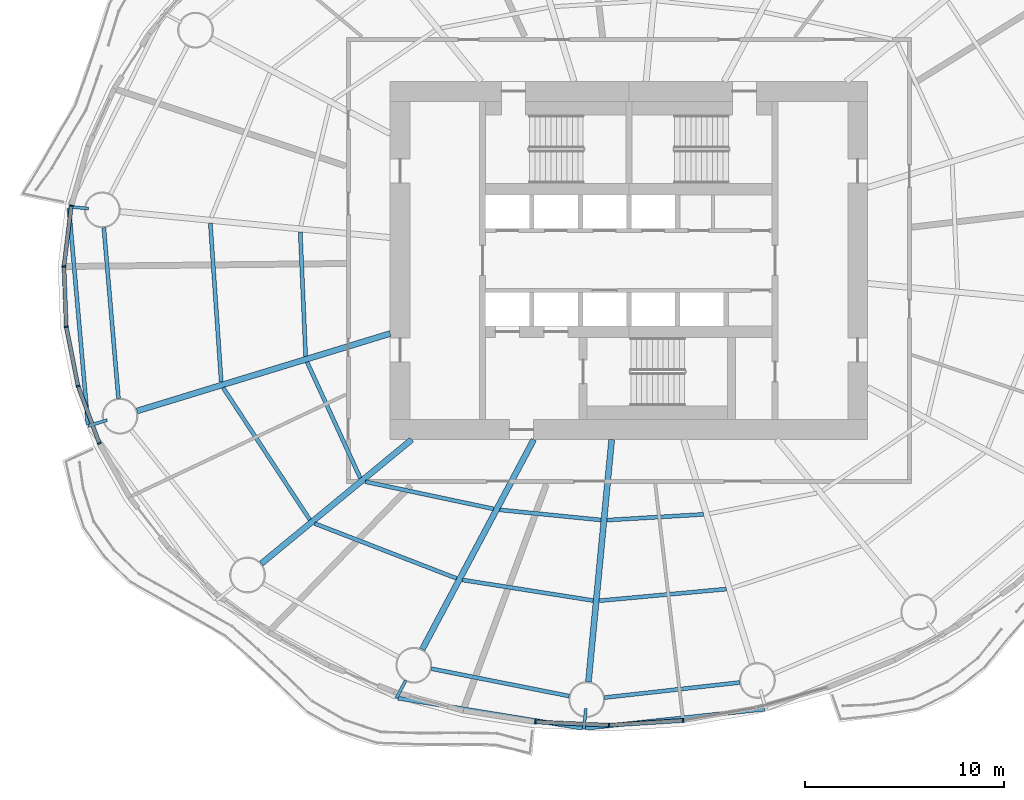
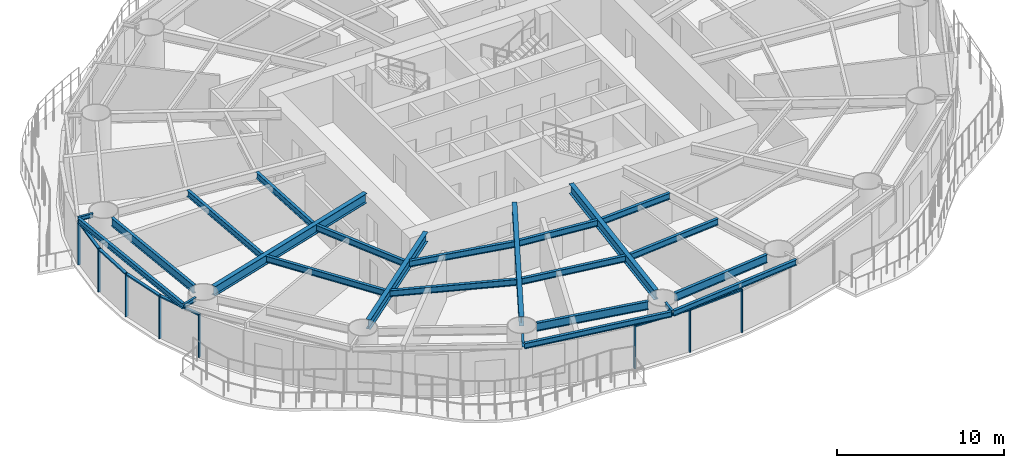
# One storey, part 2 of 16: 24 beams, 14 members, 7 elements without a shape of their own.
"""IFC4 building model written with IfcOpenShell, lengths in metres."""

from ifc_helpers import new_model, si_unit, direction, frame, origin, origin_2d, place, context, subcontext, project, spatial, rectangle, i_section, extrude, material, material_profile, profile_set, type_object, element, aggregate, save


model = new_model("IFC4")

# Units and contexts
model_context = context("Model", 3, precision=1e-05, world=origin(), true_north=direction((0.0, 1.0)))
body_context = subcontext(model_context, "Body", "Model", "MODEL_VIEW")
ifc_project = project(units=[si_unit("LENGTHUNIT", "METRE"), si_unit("AREAUNIT", "SQUARE_METRE"), si_unit("VOLUMEUNIT", "CUBIC_METRE"), si_unit("PLANEANGLEUNIT", "RADIAN"), si_unit("MASSUNIT", "GRAM", prefix="KILO")], contexts=[model_context])

# Site, building, storey
site_placement = place(None, origin())
site = spatial("IfcSite", under=ifc_project, at=site_placement, CompositionType="ELEMENT")
building_placement = place(site_placement, origin())
building = spatial("IfcBuilding", under=site, at=building_placement, Name="Vermilion Reach Broadcast Tower", CompositionType="ELEMENT")
storey_placement = place(building_placement, frame((0.0, 0.0, 61.89990234375)))
storey = spatial("IfcBuildingStorey", under=building, at=storey_placement, Name="L12", CompositionType="ELEMENT", Elevation=61.89990234375)

# Beams
ifc_material_1 = material(Name="Steel S355J2", Category="steel")
ifc_material_profile_1 = material_profile(ifc_material_1, i_section(OverallWidth=0.199951171875, OverallDepth=0.39990234375, WebThickness=0.008056640625, FlangeThickness=0.012939453125, at=origin_2d()), Name="S355J2 HN 400x200x8x13")
ifc_profile_set_1 = profile_set([ifc_material_profile_1], Name="Steel S355J2")
beam_type_1 = type_object("IfcBeamType", Name="EB1 HN 400x200x8x13", PredefinedType="BEAM", material=ifc_profile_set_1)
beam_1_placement = place(storey_placement, frame((-34.140625, 2.62939453125, 3.35009765625), z_axis=(0.087863765386, -0.99613250059, 0.0), x_axis=(0.99613250059, 0.087863765386, 0.0)))
element("IfcBeam", 1, at=beam_1_placement, inside=storey, type_object=beam_type_1, Name="Edge beam EB1-08", PredefinedType="BEAM", context=body_context, shape_type="SweptSolid", body=[
    extrude(i_section(OverallWidth=0.199951171875, OverallDepth=0.39990234375, WebThickness=0.008056640625, FlangeThickness=0.012939453125, at=origin_2d()), origin(), (0.0, 0.0, 1.0), 10.908935546875),
])
beam_2_placement = place(storey_placement, frame((-17.60546875, -21.99560546875, 3.35009765625), z_axis=(0.987048362021, -0.160422975389, 0.0), x_axis=(0.160422975389, 0.987048362021, 0.0)))
element("IfcBeam", 2, at=beam_2_placement, inside=storey, type_object=beam_type_1, Name="Edge beam EB1-11", PredefinedType="BEAM", context=body_context, shape_type="SweptSolid", body=[
    extrude(i_section(OverallWidth=0.199951171875, OverallDepth=0.39990234375, WebThickness=0.008056640625, FlangeThickness=0.012939453125, at=origin_2d()), origin(), (0.0, 0.0, 1.0), 9.392822265625),
])
beam_3_placement = place(storey_placement, frame((-8.183837890625, -23.50634765625, 3.35009765625), z_axis=(0.994345616959, 0.106192250355, 0.0), x_axis=(-0.106192250355, 0.994345616959, 0.0)))
element("IfcBeam", 3, at=beam_3_placement, inside=storey, type_object=beam_type_1, Name="Edge beam EB1-12", PredefinedType="BEAM", context=body_context, shape_type="SweptSolid", body=[
    extrude(i_section(OverallWidth=0.199951171875, OverallDepth=0.39990234375, WebThickness=0.008056640625, FlangeThickness=0.012939453125, at=origin_2d()), origin(), (0.0, 0.0, 1.0), 9.0537109375),
])
ifc_material_2 = material(Name="Steel S355J2", Category="steel")
ifc_material_profile_2 = material_profile(ifc_material_2, i_section(OverallWidth=0.300048828125, OverallDepth=0.699951171875, WebThickness=0.012939453125, FlangeThickness=0.02392578125, at=origin_2d()), Name="S355J2 HN 700x300x13x24")
ifc_profile_set_2 = profile_set([ifc_material_profile_2], Name="Steel S355J2")
beam_type_2 = type_object("IfcBeamType", Name="G1 HN 700x300x13x24", PredefinedType="BEAM", material=ifc_profile_set_2)
beam_4_placement = place(storey_placement, frame((-18.0, -3.671142578125, 3.2001953125), z_axis=(-0.956255735186, -0.292531996409, 0.0), x_axis=(0.292531996409, -0.956255735186, 0.0)))
element("IfcBeam", 4, at=beam_4_placement, inside=storey, type_object=beam_type_2, Name="Girder G1-09", PredefinedType="BEAM", context=body_context, shape_type="SweptSolid", body=[
    extrude(i_section(OverallWidth=0.300048828125, OverallDepth=0.699951171875, WebThickness=0.012939453125, FlangeThickness=0.02392578125, at=origin_2d()), origin(), (0.0, 0.0, 1.0), 13.29638671875),
])
beam_5_placement = place(storey_placement, frame((-16.9140625, -9.0, 3.2001953125), z_axis=(-0.771514256373, -0.636212034005, 0.0), x_axis=(0.636212034005, -0.771514256373, 0.0)))
element("IfcBeam", 5, at=beam_5_placement, inside=storey, type_object=beam_type_2, Name="Girder G1-10", PredefinedType="BEAM", context=body_context, shape_type="SweptSolid", body=[
    extrude(i_section(OverallWidth=0.300048828125, OverallDepth=0.699951171875, WebThickness=0.012939453125, FlangeThickness=0.02392578125, at=origin_2d()), origin(), (0.0, 0.0, 1.0), 9.796142578125),
])
beam_6_placement = place(storey_placement, frame((-10.783447265625, -9.0, 3.2001953125), z_axis=(-0.469312182262, -0.883032318537, 0.0), x_axis=(0.883032318537, -0.469312182262, 0.0)))
element("IfcBeam", 6, at=beam_6_placement, inside=storey, type_object=beam_type_2, Name="Girder G1-11", PredefinedType="BEAM", context=body_context, shape_type="SweptSolid", body=[
    extrude(i_section(OverallWidth=0.300048828125, OverallDepth=0.699951171875, WebThickness=0.012939453125, FlangeThickness=0.02392578125, at=origin_2d()), origin(), (0.0, 0.0, 1.0), 11.94091796875),
])
beam_7_placement = place(storey_placement, frame((-6.864990234375, -9.0, 3.2001953125), z_axis=(-0.09566673912, -0.995413419151, 0.0), x_axis=(0.995413419151, -0.09566673912, 0.0)))
element("IfcBeam", 7, at=beam_7_placement, inside=storey, type_object=beam_type_2, Name="Girder G1-12", PredefinedType="BEAM", context=body_context, shape_type="SweptSolid", body=[
    extrude(i_section(OverallWidth=0.300048828125, OverallDepth=0.699951171875, WebThickness=0.012939453125, FlangeThickness=0.02392578125, at=origin_2d()), origin(), (0.0, 0.0, 1.0), 12.22412109375),
])
ifc_material_3 = material(Name="Steel S355J2", Category="steel")
ifc_material_profile_3 = material_profile(ifc_material_3, i_section(OverallWidth=0.14990234375, OverallDepth=0.300048828125, WebThickness=0.006591796875, FlangeThickness=0.009033203125, at=origin_2d()), Name="S355J2 HN 300x150x6.5x9")
ifc_profile_set_3 = profile_set([ifc_material_profile_3], Name="Steel S355J2")
beam_type_3 = type_object("IfcBeamType", Name="GS1 HN 300x150x6.5x9", PredefinedType="BEAM", material=ifc_profile_set_3)
for number, where, z_axis, x_axis, name in (
    (8, (-33.15185546875, 2.609619140625, 3.400146484375), (-0.995409476419, 0.095707754417, 0.0), (-0.095707754417, -0.995409476419, 0.0), "Cantilever stub GS1-08"),
    (9, (-32.21923828125, -8.02099609375, 3.400146484375), (-0.95627383467, -0.292472824594, 0.0), (0.292472824594, -0.95627383467, 0.0), "Cantilever stub GS1-09"),
    (10, (-17.214111328125, -21.099853515625, 3.400146484375), (-0.469434829463, -0.882967123333, 0.0), (0.882967123333, -0.469434829463, 0.0), "Cantilever stub GS1-11"),
    (11, (-8.164306640625, -22.51904296875, 3.400146484375), (-0.095707754417, -0.995409476419, 0.0), (0.995409476419, -0.095707754417, 0.0), "Cantilever stub GS1-12"),
):
    element("IfcBeam", number, at=place(storey_placement, frame(where, z_axis=z_axis, x_axis=x_axis)), inside=storey, type_object=beam_type_3, Name=name, PredefinedType="BEAM", context=body_context, shape_type="SweptSolid", body=[
        extrude(i_section(OverallWidth=0.14990234375, OverallDepth=0.300048828125, WebThickness=0.006591796875, FlangeThickness=0.009033203125, at=origin_2d()), origin(), (0.0, 0.0, 1.0), 1.0),
    ])
ifc_material_4 = material(Name="Steel S355J2", Category="steel")
ifc_material_profile_4 = material_profile(ifc_material_4, i_section(OverallWidth=0.199951171875, OverallDepth=0.60009765625, WebThickness=0.010986328125, FlangeThickness=0.01708984375, at=origin_2d()), Name="S355J2 HN 600x200x11x17")
ifc_profile_set_4 = profile_set([ifc_material_profile_4], Name="Steel S355J2")
beam_type_4 = type_object("IfcBeamType", Name="RB1 HN 600x200x11x17", PredefinedType="BEAM", material=ifc_profile_set_4)
beam_8_placement = place(storey_placement, frame((-32.38720703125, 1.646728515625, 3.25), z_axis=(0.085395508608, -0.996347131832, 0.0), x_axis=(0.996347131832, 0.085395508608, 0.0)))
element("IfcBeam", 12, at=beam_8_placement, inside=storey, type_object=beam_type_4, Name="Ring beam RB1-08", PredefinedType="BEAM", context=body_context, shape_type="SweptSolid", body=[
    extrude(i_section(OverallWidth=0.199951171875, OverallDepth=0.60009765625, WebThickness=0.010986328125, FlangeThickness=0.01708984375, at=origin_2d()), origin(), (0.0, 0.0, 1.0), 8.60546875),
])
beam_9_placement = place(storey_placement, frame((-15.927001953125, -20.51416015625, 3.25), z_axis=(0.980857717995, -0.194725799651, 0.0), x_axis=(0.194725799651, 0.980857717995, 0.0)))
element("IfcBeam", 13, at=beam_9_placement, inside=storey, type_object=beam_type_4, Name="Ring beam RB1-11", PredefinedType="BEAM", context=body_context, shape_type="SweptSolid", body=[
    extrude(i_section(OverallWidth=0.199951171875, OverallDepth=0.60009765625, WebThickness=0.010986328125, FlangeThickness=0.01708984375, at=origin_2d()), origin(), (0.0, 0.0, 1.0), 7.05859375),
])
beam_10_placement = place(storey_placement, frame((-7.22607421875, -21.964111328125, 3.25), z_axis=(0.993851439324, 0.110721798009, 0.0), x_axis=(-0.110721798009, 0.993851439324, 0.0)))
element("IfcBeam", 14, at=beam_10_placement, inside=storey, type_object=beam_type_4, Name="Ring beam RB1-12", PredefinedType="BEAM", context=body_context, shape_type="SweptSolid", body=[
    extrude(i_section(OverallWidth=0.199951171875, OverallDepth=0.60009765625, WebThickness=0.010986328125, FlangeThickness=0.01708984375, at=origin_2d()), origin(), (0.0, 0.0, 1.0), 6.8310546875),
])
ifc_material_5 = material(Name="Steel S355J2", Category="steel")
ifc_material_profile_5 = material_profile(ifc_material_5, i_section(OverallWidth=0.199951171875, OverallDepth=0.449951171875, WebThickness=0.009033203125, FlangeThickness=0.013916015625, at=origin_2d()), Name="S355J2 HN 450x200x9x14")
ifc_profile_set_5 = profile_set([ifc_material_profile_5], Name="Steel S355J2")
beam_type_5 = type_object("IfcBeamType", Name="SB1 HN 450x200x9x14", PredefinedType="BEAM", material=ifc_profile_set_5)
beam_11_placement = place(storey_placement, frame((-22.51611328125, 1.436767578125, 3.3251953125), z_axis=(0.043361007512, -0.999059469215, 0.0), x_axis=(0.999059469215, 0.043361007512, 0.0)))
element("IfcBeam", 15, at=beam_11_placement, inside=storey, type_object=beam_type_5, Name="Secondary beam SB1-08-1", PredefinedType="BEAM", context=body_context, shape_type="SweptSolid", body=[
    extrude(i_section(OverallWidth=0.199951171875, OverallDepth=0.449951171875, WebThickness=0.009033203125, FlangeThickness=0.013916015625, at=origin_2d()), origin(), (0.0, 0.0, 1.0), 6.25537109375),
])
beam_12_placement = place(storey_placement, frame((-27.03515625, 1.87109375, 3.3251953125), z_axis=(0.068507801475, -0.997650580683, 0.0), x_axis=(0.997650580683, 0.068507801475, 0.0)))
element("IfcBeam", 16, at=beam_12_placement, inside=storey, type_object=beam_type_5, Name="Secondary beam SB1-08-2", PredefinedType="BEAM", context=body_context, shape_type="SweptSolid", body=[
    extrude(i_section(OverallWidth=0.199951171875, OverallDepth=0.449951171875, WebThickness=0.009033203125, FlangeThickness=0.013916015625, at=origin_2d()), origin(), (0.0, 0.0, 1.0), 8.00048828125),
])
beam_13_placement = place(storey_placement, frame((-22.175048828125, -5.105224609375, 3.3251953125), z_axis=(0.417211452529, -0.908809443106, 0.0), x_axis=(0.908809443106, 0.417211452529, 0.0)))
element("IfcBeam", 17, at=beam_13_placement, inside=storey, type_object=beam_type_5, Name="Secondary beam SB1-09-1", PredefinedType="BEAM", context=body_context, shape_type="SweptSolid", body=[
    extrude(i_section(OverallWidth=0.199951171875, OverallDepth=0.449951171875, WebThickness=0.009033203125, FlangeThickness=0.013916015625, at=origin_2d()), origin(), (0.0, 0.0, 1.0), 6.41650390625),
])
beam_14_placement = place(storey_placement, frame((-26.390625, -6.394775390625, 3.3251953125), z_axis=(0.548800909102, -0.835953086105, 0.0), x_axis=(0.835953086105, 0.548800909102, 0.0)))
element("IfcBeam", 18, at=beam_14_placement, inside=storey, type_object=beam_type_5, Name="Secondary beam SB1-09-2", PredefinedType="BEAM", context=body_context, shape_type="SweptSolid", body=[
    extrude(i_section(OverallWidth=0.199951171875, OverallDepth=0.449951171875, WebThickness=0.009033203125, FlangeThickness=0.013916015625, at=origin_2d()), origin(), (0.0, 0.0, 1.0), 7.935791015625),
])
beam_15_placement = place(storey_placement, frame((-19.24560546875, -11.1171875, 3.3251953125), z_axis=(0.978270372412, -0.207333254596, 0.0), x_axis=(0.207333254596, 0.978270372412, 0.0)))
element("IfcBeam", 19, at=beam_15_placement, inside=storey, type_object=beam_type_5, Name="Secondary beam SB1-10-1", PredefinedType="BEAM", context=body_context, shape_type="SweptSolid", body=[
    extrude(i_section(OverallWidth=0.199951171875, OverallDepth=0.449951171875, WebThickness=0.009033203125, FlangeThickness=0.013916015625, at=origin_2d()), origin(), (0.0, 0.0, 1.0), 6.584716796875),
])
beam_16_placement = place(storey_placement, frame((-21.7919921875, -13.217041015625, 3.3251953125), z_axis=(0.932680743753, -0.360702966765, 0.0), x_axis=(0.360702966765, 0.932680743753, 0.0)))
element("IfcBeam", 20, at=beam_16_placement, inside=storey, type_object=beam_type_5, Name="Secondary beam SB1-10-2", PredefinedType="BEAM", context=body_context, shape_type="SweptSolid", body=[
    extrude(i_section(OverallWidth=0.199951171875, OverallDepth=0.449951171875, WebThickness=0.009033203125, FlangeThickness=0.013916015625, at=origin_2d()), origin(), (0.0, 0.0, 1.0), 7.646240234375),
])
beam_17_placement = place(storey_placement, frame((-12.490234375, -12.531005859375, 3.3251953125), z_axis=(0.995010199331, -0.099773259079, 0.0), x_axis=(0.099773259079, 0.995010199331, 0.0)))
element("IfcBeam", 21, at=beam_17_placement, inside=storey, type_object=beam_type_5, Name="Secondary beam SB1-11-1", PredefinedType="BEAM", context=body_context, shape_type="SweptSolid", body=[
    extrude(i_section(OverallWidth=0.199951171875, OverallDepth=0.449951171875, WebThickness=0.009033203125, FlangeThickness=0.013916015625, at=origin_2d()), origin(), (0.0, 0.0, 1.0), 5.111572265625),
])
beam_18_placement = place(storey_placement, frame((-14.36279296875, -16.05419921875, 3.3251953125), z_axis=(0.987829548379, -0.155540294938, 0.0), x_axis=(0.155540294938, 0.987829548379, 0.0)))
element("IfcBeam", 22, at=beam_18_placement, inside=storey, type_object=beam_type_5, Name="Secondary beam SB1-11-2", PredefinedType="BEAM", context=body_context, shape_type="SweptSolid", body=[
    extrude(i_section(OverallWidth=0.199951171875, OverallDepth=0.449951171875, WebThickness=0.009033203125, FlangeThickness=0.013916015625, at=origin_2d()), origin(), (0.0, 0.0, 1.0), 6.650634765625),
])
beam_19_placement = place(storey_placement, frame((-7.103271484375, -13.046875, 3.3251953125), z_axis=(0.99823410974, 0.059402543307, 0.0), x_axis=(-0.059402543307, 0.99823410974, 0.0)))
element("IfcBeam", 23, at=beam_19_placement, inside=storey, type_object=beam_type_5, Name="Secondary beam SB1-12-1", PredefinedType="BEAM", context=body_context, shape_type="SweptSolid", body=[
    extrude(i_section(OverallWidth=0.199951171875, OverallDepth=0.449951171875, WebThickness=0.009033203125, FlangeThickness=0.013916015625, at=origin_2d()), origin(), (0.0, 0.0, 1.0), 4.85791015625),
])
beam_20_placement = place(storey_placement, frame((-7.49267578125, -17.09814453125, 3.3251953125), z_axis=(0.995818616382, 0.091352521952, 0.0), x_axis=(-0.091352521952, 0.995818616382, 0.0)))
element("IfcBeam", 24, at=beam_20_placement, inside=storey, type_object=beam_type_5, Name="Secondary beam SB1-12-2", PredefinedType="BEAM", context=body_context, shape_type="SweptSolid", body=[
    extrude(i_section(OverallWidth=0.199951171875, OverallDepth=0.449951171875, WebThickness=0.009033203125, FlangeThickness=0.013916015625, at=origin_2d()), origin(), (0.0, 0.0, 1.0), 6.4140625),
])

# Curtain wall, member
ifc_material_6 = material(Name="Low-e laminated clear glass in aluminium frame", Category="aluminium")
curtain_wall_type = type_object("IfcCurtainWallType", Name="Slot curtain wall", PredefinedType="NOTDEFINED", material=ifc_material_6)
placement = place(storey_placement, origin())
curtain_wall_1 = element("IfcCurtainWall", 25, at=placement, inside=storey, type_object=curtain_wall_type, Name="Slot curtain wall L12 22", PredefinedType="NOTDEFINED")
ifc_material_7 = material(Name="Anodised aluminium", Category="aluminium")
ifc_material_profile_6 = material_profile(ifc_material_7, rectangle(XDim=0.199951171875, YDim=0.080078125, at=origin_2d()), Name="Slot mullion 80 x 200")
ifc_profile_set_6 = profile_set([ifc_material_profile_6], Name="Anodised aluminium")
member_type_1 = type_object("IfcMemberType", Name="Slot mullion 80 x 200", PredefinedType="MULLION", material=ifc_profile_set_6)
member_1_placement = place(storey_placement, frame((-34.020263671875, 2.7490234375, 0.0), z_axis=(0.0, 0.0, 1.0), x_axis=(0.980431506254, -0.196860512915, 0.0)))
member_1 = element("IfcMember", 26, at=member_1_placement, type_object=member_type_1, Name="Slot mullion L12 22", PredefinedType="MULLION", context=body_context, shape_type="SweptSolid", body=[
    extrude(rectangle(XDim=0.199951171875, YDim=0.080078125, at=origin_2d()), origin(), (0.0, 0.0, 1.0), 3.150146484375),
])

curtain_wall_2 = element("IfcCurtainWall", 27, at=placement, inside=storey, type_object=curtain_wall_type, Name="Slot curtain wall L12 23", PredefinedType="NOTDEFINED")
member_2_placement = place(storey_placement, frame((-34.389892578125, -0.29443359375, 0.0), z_axis=(0.0, 0.0, 1.0), x_axis=(0.999130943193, -0.041681630897, 0.0)))
member_2 = element("IfcMember", 28, at=member_2_placement, type_object=member_type_1, Name="Slot mullion L12 23", PredefinedType="MULLION", context=body_context, shape_type="SweptSolid", body=[
    extrude(rectangle(XDim=0.199951171875, YDim=0.080078125, at=origin_2d()), origin(), (0.0, 0.0, 1.0), 3.150146484375),
])

curtain_wall_3 = element("IfcCurtainWall", 29, at=placement, inside=storey, type_object=curtain_wall_type, Name="Slot curtain wall L12 24", PredefinedType="NOTDEFINED")
member_3_placement = place(storey_placement, frame((-34.276123046875, -3.331787109375, 0.0), z_axis=(0.0, 0.0, 1.0), x_axis=(0.99312985633, 0.117017470771, 0.0)))
member_3 = element("IfcMember", 30, at=member_3_placement, type_object=member_type_1, Name="Slot mullion L12 24", PredefinedType="MULLION", context=body_context, shape_type="SweptSolid", body=[
    extrude(rectangle(XDim=0.199951171875, YDim=0.080078125, at=origin_2d()), origin(), (0.0, 0.0, 1.0), 3.150146484375),
])

# Curtain wall, members
curtain_wall_4 = element("IfcCurtainWall", 31, at=placement, inside=storey, type_object=curtain_wall_type, Name="Slot curtain wall L12 25", PredefinedType="NOTDEFINED")
member_4_placement = place(storey_placement, frame((-33.680908203125, -6.312255859375, 0.0), z_axis=(0.0, 0.0, 1.0), x_axis=(0.962080632021, 0.27276520579, 0.0)))
member_4 = element("IfcMember", 32, at=member_4_placement, type_object=member_type_1, Name="Slot mullion L12 25", PredefinedType="MULLION", context=body_context, shape_type="SweptSolid", body=[
    extrude(rectangle(XDim=0.199951171875, YDim=0.080078125, at=origin_2d()), origin(), (0.0, 0.0, 1.0), 3.150146484375),
])
member_5_placement = place(storey_placement, frame((-32.614013671875, -9.186279296875, 0.0), z_axis=(0.0, 0.0, 1.0), x_axis=(0.907825623246, 0.419347872033, 0.0)))
member_5 = element("IfcMember", 33, at=member_5_placement, type_object=member_type_1, Name="Slot mullion L12 26", PredefinedType="MULLION", context=body_context, shape_type="SweptSolid", body=[
    extrude(rectangle(XDim=0.199951171875, YDim=0.080078125, at=origin_2d()), origin(), (0.0, 0.0, 1.0), 3.150146484375),
])

# Curtain wall, member
curtain_wall_5 = element("IfcCurtainWall", 34, at=placement, inside=storey, type_object=curtain_wall_type, Name="Slot curtain wall L12 34", PredefinedType="NOTDEFINED")
member_6_placement = place(storey_placement, frame((-10.700927734375, -23.18994140625, 0.0), z_axis=(0.0, 0.0, 1.0), x_axis=(0.098989748267, 0.995088453223, 0.0)))
member_6 = element("IfcMember", 35, at=member_6_placement, type_object=member_type_1, Name="Slot mullion L12 34", PredefinedType="MULLION", context=body_context, shape_type="SweptSolid", body=[
    extrude(rectangle(XDim=0.199951171875, YDim=0.080078125, at=origin_2d()), origin(), (0.0, 0.0, 1.0), 3.150146484375),
])

curtain_wall_6 = element("IfcCurtainWall", 36, at=placement, inside=storey, type_object=curtain_wall_type, Name="Slot curtain wall L12 35", PredefinedType="NOTDEFINED")
member_7_placement = place(storey_placement, frame((-6.997314453125, -23.35400390625, 0.0), z_axis=(0.0, 0.0, 1.0), x_axis=(-0.009670012862, 0.999953244333, 0.0)))
member_7 = element("IfcMember", 37, at=member_7_placement, type_object=member_type_1, Name="Slot mullion L12 35", PredefinedType="MULLION", context=body_context, shape_type="SweptSolid", body=[
    extrude(rectangle(XDim=0.199951171875, YDim=0.080078125, at=origin_2d()), origin(), (0.0, 0.0, 1.0), 3.150146484375),
])

curtain_wall_7 = element("IfcCurtainWall", 38, at=placement, inside=storey, type_object=curtain_wall_type, Name="Slot curtain wall L12 36", PredefinedType="NOTDEFINED")
member_8_placement = place(storey_placement, frame((-3.276123046875, -23.116943359375, 0.0), z_axis=(0.0, 0.0, 1.0), x_axis=(-0.117017417367, 0.993129862623, 0.0)))
member_8 = element("IfcMember", 39, at=member_8_placement, type_object=member_type_1, Name="Slot mullion L12 36", PredefinedType="MULLION", context=body_context, shape_type="SweptSolid", body=[
    extrude(rectangle(XDim=0.199951171875, YDim=0.080078125, at=origin_2d()), origin(), (0.0, 0.0, 1.0), 3.150146484375),
])
aggregate(curtain_wall_7, [member_8])

# Member
ifc_material_8 = material(Name="Anodised aluminium", Category="aluminium")
ifc_material_profile_7 = material_profile(ifc_material_8, rectangle(XDim=0.199951171875, YDim=0.10009765625, at=origin_2d()), Name="Slot transom 200 x 100")
ifc_profile_set_7 = profile_set([ifc_material_profile_7], Name="Anodised aluminium")
member_type_2 = type_object("IfcMemberType", Name="Slot transom 200 x 100", PredefinedType="USERDEFINED", material=ifc_profile_set_7)
member_9_placement = place(storey_placement, frame((-34.025146484375, 2.709228515625, 3.10009765625), z_axis=(-0.120612196071, -0.992699701903, 0.0), x_axis=(0.992699701903, -0.120612196071, 0.0)))
member_9 = element("IfcMember", 40, at=member_9_placement, type_object=member_type_2, Name="Slot transom L12 22.1", ObjectType="TRANSOM", PredefinedType="USERDEFINED", context=body_context, shape_type="SweptSolid", body=[
    extrude(rectangle(XDim=0.199951171875, YDim=0.10009765625, at=origin_2d()), origin(), (0.0, 0.0, 1.0), 2.985595703125),
])

aggregate(curtain_wall_1, [member_1, member_9])

member_10_placement = place(storey_placement, frame((-34.388427734375, -0.334228515625, 3.10009765625), z_axis=(0.037451007354, -0.999298464948, 0.0), x_axis=(0.999298464948, 0.037451007354, 0.0)))
member_10 = element("IfcMember", 41, at=member_10_placement, type_object=member_type_2, Name="Slot transom L12 23.1", ObjectType="TRANSOM", PredefinedType="USERDEFINED", context=body_context, shape_type="SweptSolid", body=[
    extrude(rectangle(XDim=0.199951171875, YDim=0.10009765625, at=origin_2d()), origin(), (0.0, 0.0, 1.0), 2.959716796875),
])

aggregate(curtain_wall_2, [member_2, member_10])

member_11_placement = place(storey_placement, frame((-34.268310546875, -3.370849609375, 3.10009765625), z_axis=(0.195830585499, -0.980637742381, 0.0), x_axis=(0.980637742381, 0.195830585499, 0.0)))
member_11 = element("IfcMember", 42, at=member_11_placement, type_object=member_type_2, Name="Slot transom L12 24.1", ObjectType="TRANSOM", PredefinedType="USERDEFINED", context=body_context, shape_type="SweptSolid", body=[
    extrude(rectangle(XDim=0.199951171875, YDim=0.10009765625, at=origin_2d()), origin(), (0.0, 0.0, 1.0), 2.959716796875),
])

aggregate(curtain_wall_3, [member_3, member_11])

member_12_placement = place(storey_placement, frame((-33.6669921875, -6.349853515625, 3.10009765625), z_axis=(0.348012014978, -0.937490073244, 0.0), x_axis=(0.937490073244, 0.348012014978, 0.0)))
member_12 = element("IfcMember", 43, at=member_12_placement, type_object=member_type_2, Name="Slot transom L12 25.1", ObjectType="TRANSOM", PredefinedType="USERDEFINED", context=body_context, shape_type="SweptSolid", body=[
    extrude(rectangle(XDim=0.199951171875, YDim=0.10009765625, at=origin_2d()), origin(), (0.0, 0.0, 1.0), 2.985595703125),
])

aggregate(curtain_wall_4, [member_4, member_5, member_12])

member_13_placement = place(storey_placement, frame((-10.6611328125, -23.191650390625, 3.10009765625), z_axis=(0.999018842149, -0.044287165542, 0.0), x_axis=(0.044287165542, 0.999018842149, 0.0)))
member_13 = element("IfcMember", 44, at=member_13_placement, type_object=member_type_2, Name="Slot transom L12 34.1", ObjectType="TRANSOM", PredefinedType="USERDEFINED", context=body_context, shape_type="SweptSolid", body=[
    extrude(rectangle(XDim=0.199951171875, YDim=0.10009765625, at=origin_2d()), origin(), (0.0, 0.0, 1.0), 3.62744140625),
])

aggregate(curtain_wall_5, [member_6, member_13])

member_14_placement = place(storey_placement, frame((-6.957275390625, -23.3515625, 3.10009765625), z_axis=(0.99797315366, 0.063636346328, 0.0), x_axis=(-0.063636346328, 0.99797315366, 0.0)))
member_14 = element("IfcMember", 45, at=member_14_placement, type_object=member_type_2, Name="Slot transom L12 35.1", ObjectType="TRANSOM", PredefinedType="USERDEFINED", context=body_context, shape_type="SweptSolid", body=[
    extrude(rectangle(XDim=0.199951171875, YDim=0.10009765625, at=origin_2d()), origin(), (0.0, 0.0, 1.0), 3.6484375),
])

aggregate(curtain_wall_6, [member_7, member_14])

save(model, "model.ifc")
